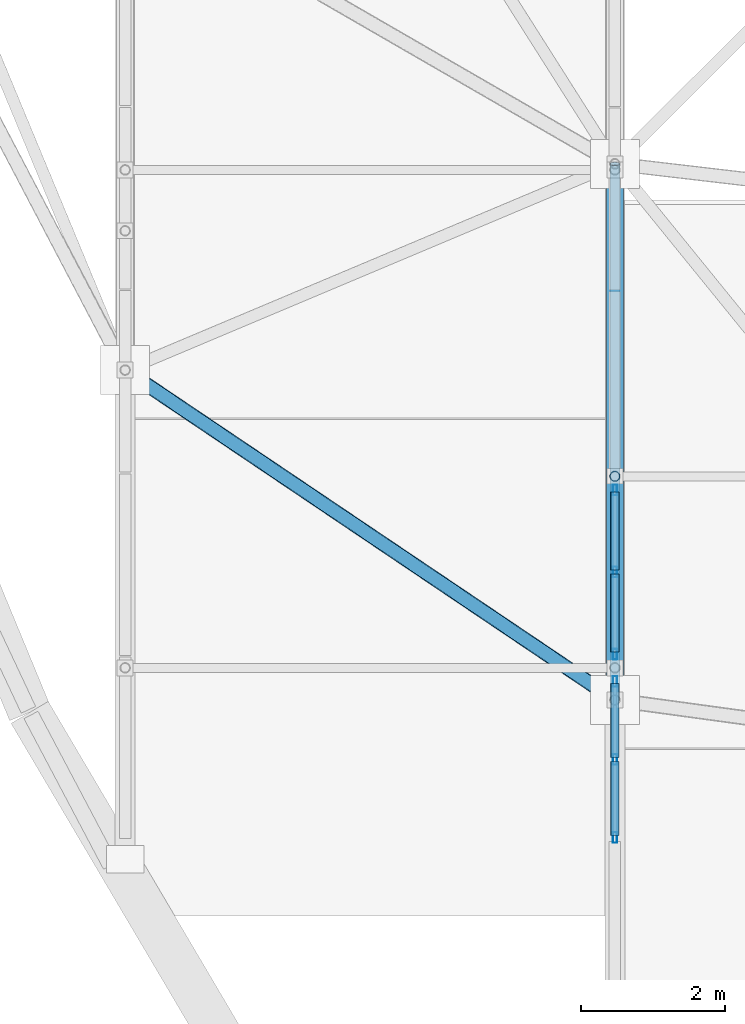
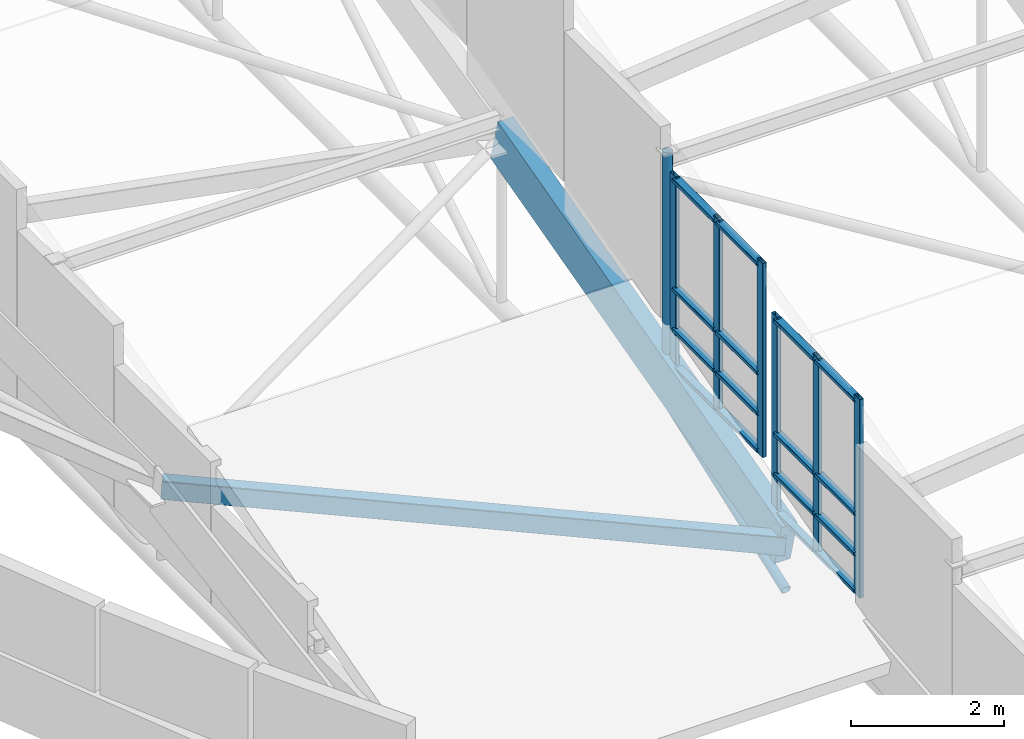
# One storey, part 4 of 188: 26 members, 2 elements without a shape of their own.
"""IFC4 building model written with IfcOpenShell, lengths in metres."""

from ifc_helpers import new_model, si_unit, direction, frame, origin, origin_2d, place, context, subcontext, project, spatial, rectangle, hollow_rectangle, hollow_circle, extrude, material, layer, layer_set, material_profile, profile_set, type_object, element, aggregate, save


model = new_model("IFC4")

# Units and contexts
model_context = context("Model", 3, precision=1e-05, world=origin(), true_north=direction((0.0, 1.0)))
body_context = subcontext(model_context, "Body", "Model", "MODEL_VIEW")
ifc_project = project(units=[si_unit("LENGTHUNIT", "METRE"), si_unit("AREAUNIT", "SQUARE_METRE"), si_unit("VOLUMEUNIT", "CUBIC_METRE"), si_unit("PLANEANGLEUNIT", "RADIAN"), si_unit("MASSUNIT", "GRAM", prefix="KILO")], contexts=[model_context])

# Site, building, storey
site_placement = place(None, origin())
site = spatial("IfcSite", under=ifc_project, at=site_placement, CompositionType="ELEMENT")
building_placement = place(site_placement, origin())
building = spatial("IfcBuilding", under=site, at=building_placement, Name="Kisaragi Civic Commons", CompositionType="ELEMENT")
storey_placement = place(building_placement, frame((0.0, 0.0, 9.60009765625)))
storey = spatial("IfcBuildingStorey", under=building, at=storey_placement, Name="L02", CompositionType="ELEMENT", Elevation=9.60009765625)

# Curtain wall, members
ifc_material_1 = material(Name="Thermally broken anodized aluminium and low-E double glazing", Category="aluminium")
ifc_layer = layer(ifc_material_1, 0.14990234375, Name="Thermally broken anodized aluminium and low-E double glazing", Category="aluminium")
ifc_layer_set = layer_set([ifc_layer], Name="Thermally broken anodized aluminium and low-E double glazing")
curtain_wall_type = type_object("IfcCurtainWallType", Name="CW-03", PredefinedType="NOTDEFINED", material=ifc_layer_set)
curtain_wall_1_placement = place(storey_placement, origin())
curtain_wall_1 = element("IfcCurtainWall", 1, at=curtain_wall_1_placement, inside=storey, type_object=curtain_wall_type, Name="L02 curtain wall CW-03 CW-CL-V1-137", PredefinedType="NOTDEFINED")
ifc_material_profile_1 = material_profile(ifc_material_1, hollow_rectangle(XDim=0.06005859375, YDim=0.14990234375, WallThickness=0.00390625, InnerFilletRadius=0.00390625, OuterFilletRadius=0.008056640625, at=origin_2d()), Name="CWM-60x150x4", Category="aluminium")
ifc_profile_set_1 = profile_set([ifc_material_profile_1], Name="Thermally broken anodized aluminium and low-E double glazing")
member_type_1 = type_object("IfcMemberType", Name="CWM-01", PredefinedType="MULLION", material=ifc_profile_set_1)
member_1_placement = place(storey_placement, frame((13.60009765625, 8.377685546875, 0.383056640625), z_axis=(0.0, 0.0, 1.0), x_axis=(-1.0, 0.0, 0.0)))
member_1 = element("IfcMember", 2, at=member_1_placement, type_object=member_type_1, Name="CW-03 mullion 1", PredefinedType="MULLION", context=body_context, shape_type="SweptSolid", body=[
    extrude(hollow_rectangle(XDim=0.06005859375, YDim=0.14990234375, WallThickness=0.00390625, InnerFilletRadius=0.00390625, OuterFilletRadius=0.008056640625, at=origin_2d()), origin(), (0.0, 0.0, 1.0), 3.17724609375),
])
member_2_placement = place(storey_placement, frame((13.60009765625, 9.460205078125, 0.383056640625), z_axis=(0.0, 0.0, 1.0), x_axis=(-1.0, 0.0, 0.0)))
member_2 = element("IfcMember", 3, at=member_2_placement, type_object=member_type_1, Name="CW-03 mullion 2", PredefinedType="MULLION", context=body_context, shape_type="SweptSolid", body=[
    extrude(hollow_rectangle(XDim=0.06005859375, YDim=0.14990234375, WallThickness=0.00390625, InnerFilletRadius=0.00390625, OuterFilletRadius=0.008056640625, at=origin_2d()), origin(), (0.0, 0.0, 1.0), 3.17724609375),
])
member_3_placement = place(storey_placement, frame((13.60009765625, 10.542724609375, 0.383056640625), z_axis=(0.0, 0.0, 1.0), x_axis=(-1.0, 0.0, 0.0)))
member_3 = element("IfcMember", 4, at=member_3_placement, type_object=member_type_1, Name="CW-03 mullion 3", PredefinedType="MULLION", context=body_context, shape_type="SweptSolid", body=[
    extrude(hollow_rectangle(XDim=0.06005859375, YDim=0.14990234375, WallThickness=0.00390625, InnerFilletRadius=0.00390625, OuterFilletRadius=0.008056640625, at=origin_2d()), origin(), (0.0, 0.0, 1.0), 3.17724609375),
])

curtain_wall_2_placement = place(storey_placement, origin())
curtain_wall_2 = element("IfcCurtainWall", 5, at=curtain_wall_2_placement, inside=storey, type_object=curtain_wall_type, Name="L02 curtain wall CW-03 CW-CL-V1-138", PredefinedType="NOTDEFINED")
member_4_placement = place(storey_placement, frame((13.60009765625, 10.922119140625, 1.088623046875), z_axis=(0.0, 0.0, 1.0), x_axis=(-1.0, 0.0, 0.0)))
member_4 = element("IfcMember", 6, at=member_4_placement, type_object=member_type_1, Name="CW-03 mullion 1", PredefinedType="MULLION", context=body_context, shape_type="SweptSolid", body=[
    extrude(hollow_rectangle(XDim=0.06005859375, YDim=0.14990234375, WallThickness=0.00390625, InnerFilletRadius=0.00390625, OuterFilletRadius=0.008056640625, at=origin_2d()), origin(), (0.0, 0.0, 1.0), 3.106201171875),
])
member_5_placement = place(storey_placement, frame((13.60009765625, 12.06201171875, 1.088623046875), z_axis=(0.0, 0.0, 1.0), x_axis=(-1.0, 0.0, 0.0)))
member_5 = element("IfcMember", 7, at=member_5_placement, type_object=member_type_1, Name="CW-03 mullion 2", PredefinedType="MULLION", context=body_context, shape_type="SweptSolid", body=[
    extrude(hollow_rectangle(XDim=0.06005859375, YDim=0.14990234375, WallThickness=0.00390625, InnerFilletRadius=0.00390625, OuterFilletRadius=0.008056640625, at=origin_2d()), origin(), (0.0, 0.0, 1.0), 3.106201171875),
])
member_6_placement = place(storey_placement, frame((13.60009765625, 13.201904296875, 1.088623046875), z_axis=(0.0, 0.0, 1.0), x_axis=(-1.0, 0.0, 0.0)))
member_6 = element("IfcMember", 8, at=member_6_placement, type_object=member_type_1, Name="CW-03 mullion 3", PredefinedType="MULLION", context=body_context, shape_type="SweptSolid", body=[
    extrude(hollow_rectangle(XDim=0.06005859375, YDim=0.14990234375, WallThickness=0.00390625, InnerFilletRadius=0.00390625, OuterFilletRadius=0.008056640625, at=origin_2d()), origin(), (0.0, 0.0, 1.0), 3.106201171875),
])

# Member
ifc_material_profile_2 = material_profile(ifc_material_1, hollow_rectangle(XDim=0.1201171875, YDim=0.06005859375, WallThickness=0.00390625, InnerFilletRadius=0.00390625, OuterFilletRadius=0.008056640625, at=origin_2d()), Name="CWT-60x120x4", Category="aluminium")
ifc_profile_set_2 = profile_set([ifc_material_profile_2], Name="Thermally broken anodized aluminium and low-E double glazing")
member_type_2 = type_object("IfcMemberType", Name="CWT-01", PredefinedType="USERDEFINED", material=ifc_profile_set_2)
member_7_placement = place(storey_placement, frame((13.60009765625, 8.40771484375, 0.443115234375), z_axis=(0.0, 1.0, 0.0), x_axis=(-1.0, 0.0, 0.0)))
member_7 = element("IfcMember", 9, at=member_7_placement, type_object=member_type_2, Name="CW-03 transom 1.1", ObjectType="TRANSOM", PredefinedType="USERDEFINED", context=body_context, shape_type="SweptSolid", body=[
    extrude(hollow_rectangle(XDim=0.1201171875, YDim=0.06005859375, WallThickness=0.00390625, InnerFilletRadius=0.00390625, OuterFilletRadius=0.008056640625, at=origin_2d()), origin(), (0.0, 0.0, 1.0), 1.0224609375),
])

member_8_placement = place(storey_placement, frame((13.60009765625, 8.40771484375, 1.032958984375), z_axis=(0.0, 1.0, 0.0), x_axis=(-1.0, 0.0, 0.0)))
member_8 = element("IfcMember", 10, at=member_8_placement, type_object=member_type_2, Name="CW-03 transom 1.2", ObjectType="TRANSOM", PredefinedType="USERDEFINED", context=body_context, shape_type="SweptSolid", body=[
    extrude(hollow_rectangle(XDim=0.1201171875, YDim=0.06005859375, WallThickness=0.00390625, InnerFilletRadius=0.00390625, OuterFilletRadius=0.008056640625, at=origin_2d()), origin(), (0.0, 0.0, 1.0), 1.0224609375),
])

member_9_placement = place(storey_placement, frame((13.60009765625, 8.40771484375, 1.68310546875), z_axis=(0.0, 1.0, 0.0), x_axis=(-1.0, 0.0, 0.0)))
member_9 = element("IfcMember", 11, at=member_9_placement, type_object=member_type_2, Name="CW-03 transom 1.3", ObjectType="TRANSOM", PredefinedType="USERDEFINED", context=body_context, shape_type="SweptSolid", body=[
    extrude(hollow_rectangle(XDim=0.1201171875, YDim=0.06005859375, WallThickness=0.00390625, InnerFilletRadius=0.00390625, OuterFilletRadius=0.008056640625, at=origin_2d()), origin(), (0.0, 0.0, 1.0), 1.0224609375),
])

member_10_placement = place(storey_placement, frame((13.60009765625, 8.40771484375, 3.500244140625), z_axis=(0.0, 1.0, 0.0), x_axis=(-1.0, 0.0, 0.0)))
member_10 = element("IfcMember", 12, at=member_10_placement, type_object=member_type_2, Name="CW-03 transom 1.4", ObjectType="TRANSOM", PredefinedType="USERDEFINED", context=body_context, shape_type="SweptSolid", body=[
    extrude(hollow_rectangle(XDim=0.1201171875, YDim=0.06005859375, WallThickness=0.00390625, InnerFilletRadius=0.00390625, OuterFilletRadius=0.008056640625, at=origin_2d()), origin(), (0.0, 0.0, 1.0), 1.0224609375),
])

member_11_placement = place(storey_placement, frame((13.60009765625, 9.490234375, 0.443115234375), z_axis=(0.0, 1.0, 0.0), x_axis=(-1.0, 0.0, 0.0)))
member_11 = element("IfcMember", 13, at=member_11_placement, type_object=member_type_2, Name="CW-03 transom 2.1", ObjectType="TRANSOM", PredefinedType="USERDEFINED", context=body_context, shape_type="SweptSolid", body=[
    extrude(hollow_rectangle(XDim=0.1201171875, YDim=0.06005859375, WallThickness=0.00390625, InnerFilletRadius=0.00390625, OuterFilletRadius=0.008056640625, at=origin_2d()), origin(), (0.0, 0.0, 1.0), 1.0224609375),
])

member_12_placement = place(storey_placement, frame((13.60009765625, 9.490234375, 1.032958984375), z_axis=(0.0, 1.0, 0.0), x_axis=(-1.0, 0.0, 0.0)))
member_12 = element("IfcMember", 14, at=member_12_placement, type_object=member_type_2, Name="CW-03 transom 2.2", ObjectType="TRANSOM", PredefinedType="USERDEFINED", context=body_context, shape_type="SweptSolid", body=[
    extrude(hollow_rectangle(XDim=0.1201171875, YDim=0.06005859375, WallThickness=0.00390625, InnerFilletRadius=0.00390625, OuterFilletRadius=0.008056640625, at=origin_2d()), origin(), (0.0, 0.0, 1.0), 1.0224609375),
])

member_13_placement = place(storey_placement, frame((13.60009765625, 9.490234375, 1.68310546875), z_axis=(0.0, 1.0, 0.0), x_axis=(-1.0, 0.0, 0.0)))
member_13 = element("IfcMember", 15, at=member_13_placement, type_object=member_type_2, Name="CW-03 transom 2.3", ObjectType="TRANSOM", PredefinedType="USERDEFINED", context=body_context, shape_type="SweptSolid", body=[
    extrude(hollow_rectangle(XDim=0.1201171875, YDim=0.06005859375, WallThickness=0.00390625, InnerFilletRadius=0.00390625, OuterFilletRadius=0.008056640625, at=origin_2d()), origin(), (0.0, 0.0, 1.0), 1.0224609375),
])

member_14_placement = place(storey_placement, frame((13.60009765625, 9.490234375, 3.500244140625), z_axis=(0.0, 1.0, 0.0), x_axis=(-1.0, 0.0, 0.0)))
member_14 = element("IfcMember", 16, at=member_14_placement, type_object=member_type_2, Name="CW-03 transom 2.4", ObjectType="TRANSOM", PredefinedType="USERDEFINED", context=body_context, shape_type="SweptSolid", body=[
    extrude(hollow_rectangle(XDim=0.1201171875, YDim=0.06005859375, WallThickness=0.00390625, InnerFilletRadius=0.00390625, OuterFilletRadius=0.008056640625, at=origin_2d()), origin(), (0.0, 0.0, 1.0), 1.0224609375),
])

aggregate(curtain_wall_1, [member_1, member_2, member_3, member_7, member_8, member_9, member_10, member_11, member_12, member_13, member_14])

member_15_placement = place(storey_placement, frame((13.60009765625, 10.9521484375, 1.148681640625), z_axis=(0.0, 1.0, 0.0), x_axis=(-1.0, 0.0, 0.0)))
member_15 = element("IfcMember", 17, at=member_15_placement, type_object=member_type_2, Name="CW-03 transom 1.1", ObjectType="TRANSOM", PredefinedType="USERDEFINED", context=body_context, shape_type="SweptSolid", body=[
    extrude(hollow_rectangle(XDim=0.1201171875, YDim=0.06005859375, WallThickness=0.00390625, InnerFilletRadius=0.00390625, OuterFilletRadius=0.008056640625, at=origin_2d()), origin(), (0.0, 0.0, 1.0), 1.079833984375),
])

member_16_placement = place(storey_placement, frame((13.60009765625, 10.9521484375, 1.73876953125), z_axis=(0.0, 1.0, 0.0), x_axis=(-1.0, 0.0, 0.0)))
member_16 = element("IfcMember", 18, at=member_16_placement, type_object=member_type_2, Name="CW-03 transom 1.2", ObjectType="TRANSOM", PredefinedType="USERDEFINED", context=body_context, shape_type="SweptSolid", body=[
    extrude(hollow_rectangle(XDim=0.1201171875, YDim=0.06005859375, WallThickness=0.00390625, InnerFilletRadius=0.00390625, OuterFilletRadius=0.008056640625, at=origin_2d()), origin(), (0.0, 0.0, 1.0), 1.079833984375),
])

member_17_placement = place(storey_placement, frame((13.60009765625, 10.9521484375, 2.388671875), z_axis=(0.0, 1.0, 0.0), x_axis=(-1.0, 0.0, 0.0)))
member_17 = element("IfcMember", 19, at=member_17_placement, type_object=member_type_2, Name="CW-03 transom 1.3", ObjectType="TRANSOM", PredefinedType="USERDEFINED", context=body_context, shape_type="SweptSolid", body=[
    extrude(hollow_rectangle(XDim=0.1201171875, YDim=0.06005859375, WallThickness=0.00390625, InnerFilletRadius=0.00390625, OuterFilletRadius=0.008056640625, at=origin_2d()), origin(), (0.0, 0.0, 1.0), 1.079833984375),
])

member_18_placement = place(storey_placement, frame((13.60009765625, 10.9521484375, 4.134765625), z_axis=(0.0, 1.0, 0.0), x_axis=(-1.0, 0.0, 0.0)))
member_18 = element("IfcMember", 20, at=member_18_placement, type_object=member_type_2, Name="CW-03 transom 1.4", ObjectType="TRANSOM", PredefinedType="USERDEFINED", context=body_context, shape_type="SweptSolid", body=[
    extrude(hollow_rectangle(XDim=0.1201171875, YDim=0.06005859375, WallThickness=0.00390625, InnerFilletRadius=0.00390625, OuterFilletRadius=0.008056640625, at=origin_2d()), origin(), (0.0, 0.0, 1.0), 1.079833984375),
])

member_19_placement = place(storey_placement, frame((13.60009765625, 12.092041015625, 1.148681640625), z_axis=(0.0, 1.0, 0.0), x_axis=(-1.0, 0.0, 0.0)))
member_19 = element("IfcMember", 21, at=member_19_placement, type_object=member_type_2, Name="CW-03 transom 2.1", ObjectType="TRANSOM", PredefinedType="USERDEFINED", context=body_context, shape_type="SweptSolid", body=[
    extrude(hollow_rectangle(XDim=0.1201171875, YDim=0.06005859375, WallThickness=0.00390625, InnerFilletRadius=0.00390625, OuterFilletRadius=0.008056640625, at=origin_2d()), origin(), (0.0, 0.0, 1.0), 1.079833984375),
])

member_20_placement = place(storey_placement, frame((13.60009765625, 12.092041015625, 1.73876953125), z_axis=(0.0, 1.0, 0.0), x_axis=(-1.0, 0.0, 0.0)))
member_20 = element("IfcMember", 22, at=member_20_placement, type_object=member_type_2, Name="CW-03 transom 2.2", ObjectType="TRANSOM", PredefinedType="USERDEFINED", context=body_context, shape_type="SweptSolid", body=[
    extrude(hollow_rectangle(XDim=0.1201171875, YDim=0.06005859375, WallThickness=0.00390625, InnerFilletRadius=0.00390625, OuterFilletRadius=0.008056640625, at=origin_2d()), origin(), (0.0, 0.0, 1.0), 1.079833984375),
])

member_21_placement = place(storey_placement, frame((13.60009765625, 12.092041015625, 2.388671875), z_axis=(0.0, 1.0, 0.0), x_axis=(-1.0, 0.0, 0.0)))
member_21 = element("IfcMember", 23, at=member_21_placement, type_object=member_type_2, Name="CW-03 transom 2.3", ObjectType="TRANSOM", PredefinedType="USERDEFINED", context=body_context, shape_type="SweptSolid", body=[
    extrude(hollow_rectangle(XDim=0.1201171875, YDim=0.06005859375, WallThickness=0.00390625, InnerFilletRadius=0.00390625, OuterFilletRadius=0.008056640625, at=origin_2d()), origin(), (0.0, 0.0, 1.0), 1.079833984375),
])

member_22_placement = place(storey_placement, frame((13.60009765625, 12.092041015625, 4.134765625), z_axis=(0.0, 1.0, 0.0), x_axis=(-1.0, 0.0, 0.0)))
member_22 = element("IfcMember", 24, at=member_22_placement, type_object=member_type_2, Name="CW-03 transom 2.4", ObjectType="TRANSOM", PredefinedType="USERDEFINED", context=body_context, shape_type="SweptSolid", body=[
    extrude(hollow_rectangle(XDim=0.1201171875, YDim=0.06005859375, WallThickness=0.00390625, InnerFilletRadius=0.00390625, OuterFilletRadius=0.008056640625, at=origin_2d()), origin(), (0.0, 0.0, 1.0), 1.079833984375),
])

aggregate(curtain_wall_2, [member_4, member_5, member_6, member_15, member_16, member_17, member_18, member_19, member_20, member_21, member_22])

# Members
ifc_material_2 = material(Name="Steel SN490 (SN490B)", Category="steel")
ifc_material_profile_3 = material_profile(ifc_material_2, hollow_rectangle(XDim=0.199951171875, YDim=0.300048828125, WallThickness=0.009033203125, InnerFilletRadius=0.009033203125, OuterFilletRadius=0.01806640625, at=origin_2d()), Name="STKR-300x200x9", Category="steel")
ifc_profile_set_3 = profile_set([ifc_material_profile_3], Name="Steel SN490 (SN490B)")
member_type_3 = type_object("IfcMemberType", Name="GC-02", PredefinedType="CHORD", material=ifc_profile_set_3)
member_23_placement = place(storey_placement, frame((6.800048828125, 14.86669921875, 0.5673828125), z_axis=(0.827774579154, -0.557654909821, -0.061727203565), x_axis=(0.558720357161, 0.829356113195, 0.0)))
element("IfcMember", 25, at=member_23_placement, inside=storey, type_object=member_type_3, Name="V1 wave gridshell chord GC-02 8", PredefinedType="CHORD", context=body_context, shape_type="SweptSolid", body=[
    extrude(hollow_rectangle(XDim=0.199951171875, YDim=0.300048828125, WallThickness=0.009033203125, InnerFilletRadius=0.009033203125, OuterFilletRadius=0.01806640625, at=origin_2d()), origin(), (0.0, 0.0, 1.0), 8.21484375),
])
ifc_material_3 = material(Name="Glulam E120-F330", Category="wood")
ifc_material_profile_4 = material_profile(ifc_material_3, rectangle(XDim=0.239990234375, YDim=0.719970703125, at=origin_2d()), Name="GL-240x720", Category="wood")
ifc_profile_set_4 = profile_set([ifc_material_profile_4], Name="Glulam E120-F330")
member_type_4 = type_object("IfcMemberType", Name="GR-02", PredefinedType="RAFTER", material=ifc_profile_set_4)
member_24_placement = place(storey_placement, frame((13.60009765625, 10.28564453125, 0.060302734375), z_axis=(0.0, 0.96660275295, 0.25627937488), x_axis=(-1.0, 0.0, 0.0)))
element("IfcMember", 26, at=member_24_placement, inside=storey, type_object=member_type_4, Name="V1 glulam arch rib GR-02 18", PredefinedType="RAFTER", context=body_context, shape_type="SweptSolid", body=[
    extrude(rectangle(XDim=0.239990234375, YDim=0.719970703125, at=origin_2d()), origin(), (0.0, 0.0, 1.0), 7.7021484375),
])
ifc_material_profile_5 = material_profile(ifc_material_2, hollow_circle(Radius=0.06982421875, WallThickness=0.006103515625, at=origin_2d()), Name="CHS-139.8x6.0", Category="steel")
ifc_profile_set_5 = profile_set([ifc_material_profile_5], Name="Steel SN490 (SN490B)")
member_type_5 = type_object("IfcMemberType", Name="ST-H1", PredefinedType="STRUT", material=ifc_profile_set_5)
member_25_placement = place(storey_placement, frame((13.60009765625, 10.28564453125, -0.691162109375), z_axis=(0.0, 0.93905667274, 0.343762367607), x_axis=(-1.0, 0.0, 0.0)))
element("IfcMember", 27, at=member_25_placement, inside=storey, type_object=member_type_5, Name="V1 tied arch truss diagonal web strut 37", PredefinedType="STRUT", context=body_context, shape_type="SweptSolid", body=[
    extrude(hollow_circle(Radius=0.06982421875, WallThickness=0.006103515625, at=origin_2d()), origin(), (0.0, 0.0, 1.0), 7.927978515625),
])
member_26_placement = place(storey_placement, frame((13.60009765625, 13.391845703125, 0.8837890625), z_axis=(0.0, 0.0, 1.0), x_axis=(1.0, 0.0, 0.0)))
element("IfcMember", 28, at=member_26_placement, inside=storey, type_object=member_type_5, Name="V1 clerestory monitor horizontal tie strut 3.2.2", PredefinedType="STRUT", context=body_context, shape_type="SweptSolid", body=[
    extrude(hollow_circle(Radius=0.06982421875, WallThickness=0.006103515625, at=origin_2d()), origin(), (0.0, 0.0, 1.0), 3.573486328125),
])

save(model, "model.ifc")
